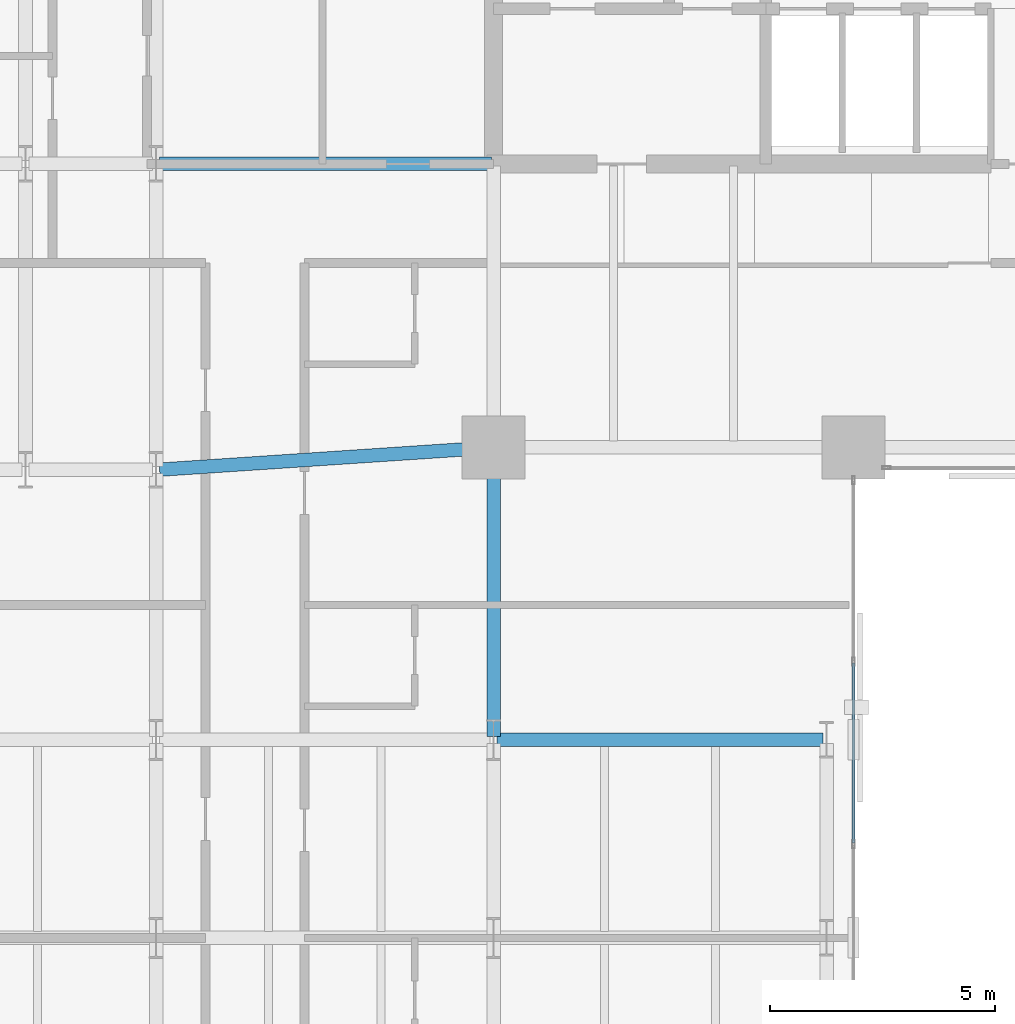
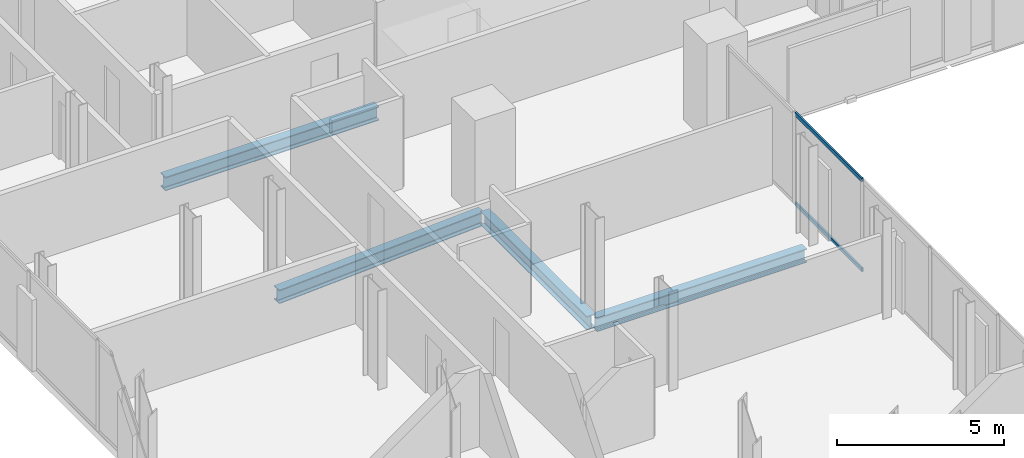
# One storey, part 12 of 32: 4 beams, 2 members, 1 element without a shape of its own.
"""IFC4 building model written with IfcOpenShell, lengths in metres."""

from ifc_helpers import new_model, si_unit, direction, frame, origin, origin_2d, place, context, subcontext, project, spatial, hollow_rectangle, i_section, extrude, material, layer, layer_set, material_profile, profile_set, type_object, element, aggregate, save


model = new_model("IFC4")

# Units and contexts
model_context = context("Model", 3, precision=1e-05, world=origin(), true_north=direction((0.0, 1.0)))
body_context = subcontext(model_context, "Body", "Model", "MODEL_VIEW")
ifc_project = project(units=[si_unit("LENGTHUNIT", "METRE"), si_unit("AREAUNIT", "SQUARE_METRE"), si_unit("VOLUMEUNIT", "CUBIC_METRE"), si_unit("PLANEANGLEUNIT", "RADIAN"), si_unit("MASSUNIT", "GRAM", prefix="KILO")], contexts=[model_context])

# Site, building, storey
site_placement = place(None, origin())
site = spatial("IfcSite", under=ifc_project, at=site_placement, CompositionType="ELEMENT")
building_placement = place(site_placement, origin())
building = spatial("IfcBuilding", under=site, at=building_placement, Name="Catumbela Crestline Tower", CompositionType="ELEMENT")
storey_placement = place(building_placement, frame((0.0, 0.0, 61.8)))
storey = spatial("IfcBuildingStorey", under=building, at=storey_placement, Name="L15", CompositionType="ELEMENT", Elevation=61.8)

# Beams
ifc_material_1 = material(Name="Structural steel S355J2", Category="steel")
ifc_material_profile_1 = material_profile(ifc_material_1, i_section(OverallWidth=0.3, OverallDepth=0.5, WebThickness=0.0145, FlangeThickness=0.028, FilletRadius=0.027, at=origin_2d()), Name="HEB 500")
ifc_profile_set_1 = profile_set([ifc_material_profile_1], Name="Structural steel S355J2")
beam_type = type_object("IfcBeamType", Name="BG-HEB500", PredefinedType="BEAM", material=ifc_profile_set_1)
beam_1_placement = place(storey_placement, frame((8.5798, 24.0053, -0.51), z_axis=(0.997784796964, 0.066524423687, 0.0), x_axis=(-0.066524423687, 0.997784796964, 0.0)))
element("IfcBeam", 1, at=beam_1_placement, inside=storey, type_object=beam_type, Name="L15 Beam BM-L15-S03", PredefinedType="BEAM", context=body_context, shape_type="SweptSolid", body=[
    extrude(i_section(OverallWidth=0.3, OverallDepth=0.5, WebThickness=0.0145, FlangeThickness=0.028, FilletRadius=0.027, at=origin_2d()), origin(), (0.0, 0.0, 1.0), 7.3567),
])
beam_2_placement = place(storey_placement, frame((8.58, 30.8, -0.51), z_axis=(1.0, 0.0, 0.0), x_axis=(0.0, 1.0, 0.0)))
element("IfcBeam", 2, at=beam_2_placement, inside=storey, type_object=beam_type, Name="L15 Beam BM-L15-M09", PredefinedType="BEAM", context=body_context, shape_type="SweptSolid", body=[
    extrude(i_section(OverallWidth=0.3, OverallDepth=0.5, WebThickness=0.0145, FlangeThickness=0.028, FilletRadius=0.027, at=origin_2d()), origin(), (0.0, 0.0, 1.0), 7.37),
])
beam_3_placement = place(storey_placement, frame((16.08, 18.0, -0.51), z_axis=(1.0, 0.0, 0.0), x_axis=(0.0, 1.0, 0.0)))
element("IfcBeam", 3, at=beam_3_placement, inside=storey, type_object=beam_type, Name="L15 Beam BM-L15-WEW56", PredefinedType="BEAM", context=body_context, shape_type="SweptSolid", body=[
    extrude(i_section(OverallWidth=0.3, OverallDepth=0.5, WebThickness=0.0145, FlangeThickness=0.028, FilletRadius=0.027, at=origin_2d()), origin(), (0.0, 0.0, 1.0), 7.24),
])
beam_4_placement = place(storey_placement, frame((16.0, 18.08, -0.51), z_axis=(0.0, 1.0, 0.0), x_axis=(-1.0, 0.0, 0.0)))
element("IfcBeam", 4, at=beam_4_placement, inside=storey, type_object=beam_type, Name="L15 Beam BM-L15-WNS67", PredefinedType="BEAM", context=body_context, shape_type="SweptSolid", body=[
    extrude(i_section(OverallWidth=0.3, OverallDepth=0.5, WebThickness=0.0145, FlangeThickness=0.028, FilletRadius=0.027, at=origin_2d()), origin(), (0.0, 0.0, 1.0), 6.34),
])

# Curtain wall, members
ifc_material_2 = material(Name="Aluminium alloy AW-6060-T66", Category="aluminium")
ifc_layer = layer(ifc_material_2, 0.18, Name="Aluminium alloy AW-6060-T66")
ifc_layer_set = layer_set([ifc_layer], Name="Aluminium alloy AW-6060-T66")
curtain_wall_type = type_object("IfcCurtainWallType", Name="CWU-Z1", PredefinedType="USERDEFINED", material=ifc_layer_set)
curtain_wall_placement = place(storey_placement, origin())
curtain_wall = element("IfcCurtainWall", 5, at=curtain_wall_placement, inside=storey, type_object=curtain_wall_type, Name="L15 Unitised Curtain Wall CW-L15-E2S1", ObjectType="UNITISED", PredefinedType="USERDEFINED")
ifc_material_profile_2 = material_profile(ifc_material_2, hollow_rectangle(XDim=0.06, YDim=0.14, WallThickness=0.004, at=origin_2d()), Name="ALU 140x60x4")
ifc_profile_set_2 = profile_set([ifc_material_profile_2], Name="Aluminium alloy AW-6060-T66")
member_type = type_object("IfcMemberType", Name="TRN-140X60", PredefinedType="USERDEFINED", material=ifc_profile_set_2)
member_1_placement = place(storey_placement, frame((24.0, 15.7125, 0.03), z_axis=(0.0, 1.0, 0.0), x_axis=(-1.0, 0.0, 0.0)))
member_1 = element("IfcMember", 6, at=member_1_placement, type_object=member_type, Name="CWU-Z1 transom 4.1", ObjectType="TRANSOM", PredefinedType="USERDEFINED", context=body_context, shape_type="SweptSolid", body=[
    extrude(hollow_rectangle(XDim=0.06, YDim=0.14, WallThickness=0.004, at=origin_2d()), origin(), (0.0, 0.0, 1.0), 3.995),
])
member_2_placement = place(storey_placement, frame((24.0, 15.7125, 3.3), z_axis=(0.0, 1.0, 0.0), x_axis=(-1.0, 0.0, 0.0)))
member_2 = element("IfcMember", 7, at=member_2_placement, type_object=member_type, Name="CWU-Z1 transom 4.2", ObjectType="TRANSOM", PredefinedType="USERDEFINED", context=body_context, shape_type="SweptSolid", body=[
    extrude(hollow_rectangle(XDim=0.06, YDim=0.14, WallThickness=0.004, at=origin_2d()), origin(), (0.0, 0.0, 1.0), 3.995),
])
aggregate(curtain_wall, [member_1, member_2])

save(model, "model.ifc")
